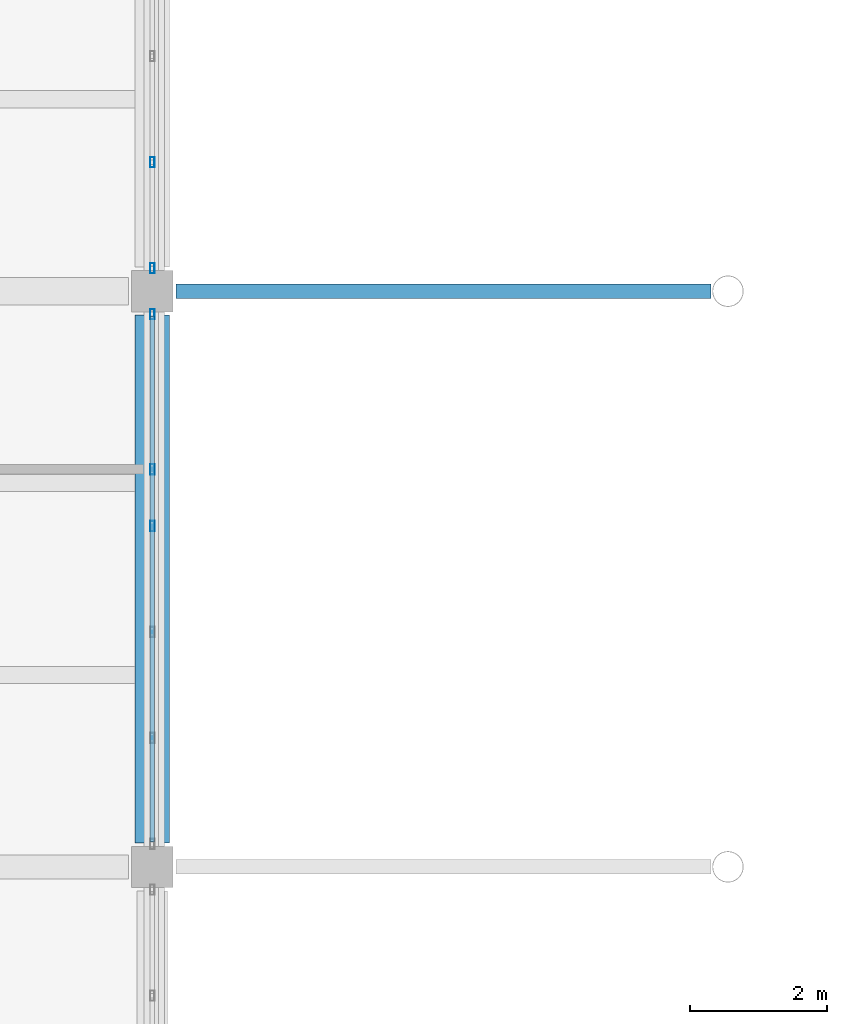
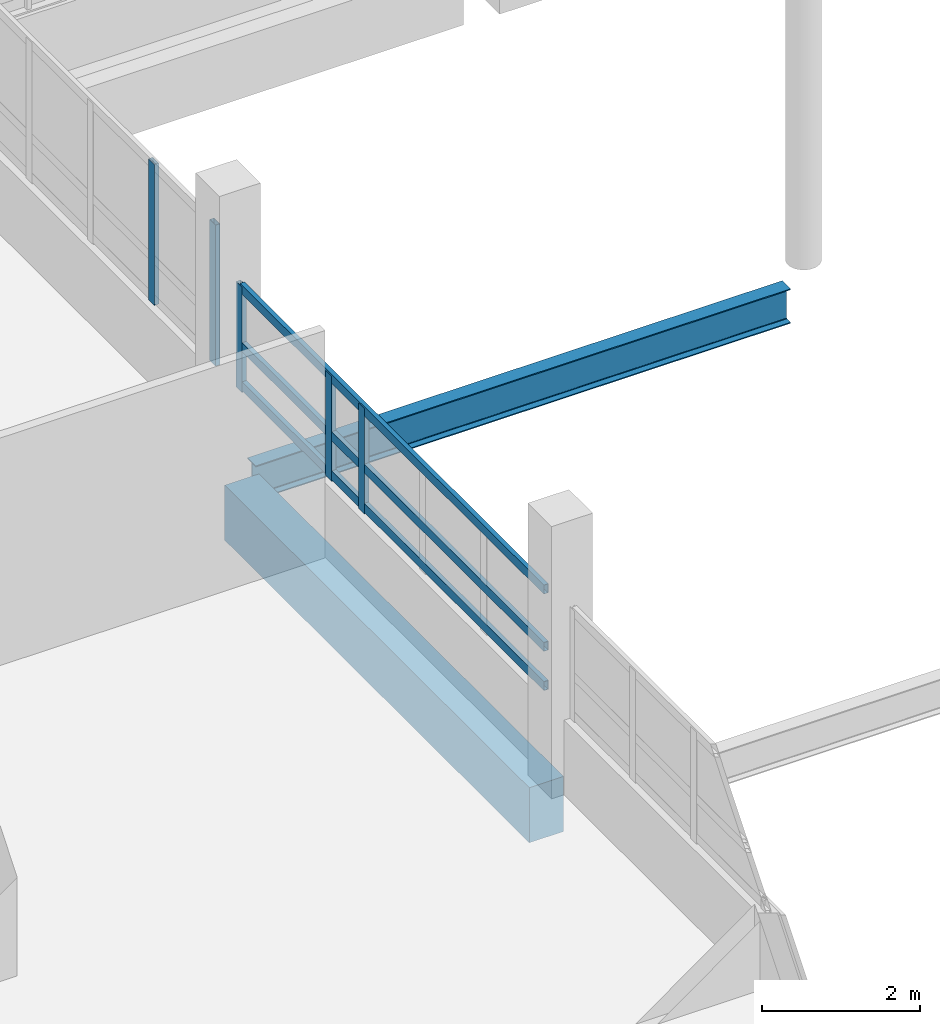
# One storey, part 46 of 101: 8 members, 2 beams, 2 elements without a shape of their own.
"""IFC4 building model written with IfcOpenShell, lengths in metres."""

from ifc_helpers import new_model, si_unit, direction, frame, origin, origin_2d, place, context, subcontext, project, spatial, rectangle, hollow_rectangle, i_section, extrude, material, layer, layer_set, material_profile, profile_set, type_object, element, aggregate, save


model = new_model("IFC4")

# Units and contexts
model_context = context("Model", 3, precision=1e-05, world=origin(), true_north=direction((0.0, 1.0)))
body_context = subcontext(model_context, "Body", "Model", "MODEL_VIEW")
ifc_project = project(units=[si_unit("LENGTHUNIT", "METRE"), si_unit("AREAUNIT", "SQUARE_METRE"), si_unit("VOLUMEUNIT", "CUBIC_METRE"), si_unit("PLANEANGLEUNIT", "RADIAN"), si_unit("MASSUNIT", "GRAM", prefix="KILO")], contexts=[model_context])

# Site, building, storey
site_placement = place(None, origin())
site = spatial("IfcSite", under=ifc_project, at=site_placement, CompositionType="ELEMENT")
building_placement = place(site_placement, origin())
building = spatial("IfcBuilding", under=site, at=building_placement, Name="Vireocrest Preparatory School", CompositionType="ELEMENT")
storey_placement = place(building_placement, frame((0.0, 0.0, 4.800048828125)))
storey = spatial("IfcBuildingStorey", under=building, at=storey_placement, Name="L01", CompositionType="ELEMENT", Elevation=4.800048828125)

# Curtain wall, members
ifc_material_1 = material(Name="Thermally broken aluminium EN AW-6063-T6", Category="aluminium")
ifc_layer = layer(ifc_material_1, 0.179931640625)
ifc_layer_set = layer_set([ifc_layer], Name="Thermally broken aluminium EN AW-6063-T6")
curtain_wall_type = type_object("IfcCurtainWallType", Name="Court Banded Curtain Wall 8400x3000", PredefinedType="USERDEFINED", material=ifc_layer_set)
curtain_wall_1_placement = place(storey_placement, origin())
curtain_wall_1 = element("IfcCurtainWall", 1, at=curtain_wall_1_placement, inside=storey, type_object=curtain_wall_type, Name="Curtain Wall CW02 CW_L01_CW02_0672_0693_060", ObjectType="CURTAIN WALL", PredefinedType="USERDEFINED")
ifc_material_profile_1 = material_profile(ifc_material_1, hollow_rectangle(XDim=0.06494140625, YDim=0.14990234375, WallThickness=0.00390625, at=origin_2d()), Name="ALU 65x150x4")
ifc_profile_set_1 = profile_set([ifc_material_profile_1], Name="Thermally broken aluminium EN AW-6063-T6")
member_type_1 = type_object("IfcMemberType", Name="CW Mullion 65x150x4", PredefinedType="MULLION", material=ifc_profile_set_1)
member_1_placement = place(storey_placement, frame((67.199951171875, 73.972900390625, 1.14990234375), z_axis=(0.0, 0.0, 1.0), x_axis=(1.0, 0.0, 0.0)))
member_1 = element("IfcMember", 2, at=member_1_placement, type_object=member_type_1, Name="CW Mullion ML1 CW_L01_CW02_0672_0693_060-4", PredefinedType="MULLION", context=body_context, shape_type="SweptSolid", body=[
    extrude(hollow_rectangle(XDim=0.06494140625, YDim=0.14990234375, WallThickness=0.00390625, at=origin_2d()), origin(), (0.0, 0.0, 1.0), 1.625),
])
member_2_placement = place(storey_placement, frame((67.199951171875, 74.800048828125, 1.14990234375), z_axis=(0.0, 0.0, 1.0), x_axis=(1.0, 0.0, 0.0)))
member_2 = element("IfcMember", 3, at=member_2_placement, type_object=member_type_1, Name="CW Mullion ML1 CW_L01_CW02_0672_0693_060-5", PredefinedType="MULLION", context=body_context, shape_type="SweptSolid", body=[
    extrude(hollow_rectangle(XDim=0.06494140625, YDim=0.14990234375, WallThickness=0.00390625, at=origin_2d()), origin(), (0.0, 0.0, 1.0), 1.625),
])
member_3_placement = place(storey_placement, frame((67.199951171875, 77.06494140625, 1.14990234375), z_axis=(0.0, 0.0, 1.0), x_axis=(1.0, 0.0, 0.0)))
member_3 = element("IfcMember", 4, at=member_3_placement, type_object=member_type_1, Name="CW Mullion ML1 CW_L01_CW02_0672_0693_060-6", PredefinedType="MULLION", context=body_context, shape_type="SweptSolid", body=[
    extrude(hollow_rectangle(XDim=0.06494140625, YDim=0.14990234375, WallThickness=0.00390625, at=origin_2d()), origin(), (0.0, 0.0, 1.0), 1.625),
])

curtain_wall_2_placement = place(storey_placement, origin())
curtain_wall_2 = element("IfcCurtainWall", 5, at=curtain_wall_2_placement, inside=storey, type_object=curtain_wall_type, Name="Curtain Wall CW02 CW_L01_CW02_0672_0777_060", ObjectType="CURTAIN WALL", PredefinedType="USERDEFINED")
member_4_placement = place(storey_placement, frame((67.199951171875, 77.735107421875, 1.14990234375), z_axis=(0.0, 0.0, 1.0), x_axis=(1.0, 0.0, 0.0)))
member_4 = element("IfcMember", 6, at=member_4_placement, type_object=member_type_1, Name="CW Mullion ML1 CW_L01_CW02_0672_0777_060-1", PredefinedType="MULLION", context=body_context, shape_type="SweptSolid", body=[
    extrude(hollow_rectangle(XDim=0.06494140625, YDim=0.14990234375, WallThickness=0.00390625, at=origin_2d()), origin(), (0.0, 0.0, 1.0), 2.175048828125),
])
member_5_placement = place(storey_placement, frame((67.199951171875, 79.281005859375, 1.14990234375), z_axis=(0.0, 0.0, 1.0), x_axis=(1.0, 0.0, 0.0)))
member_5 = element("IfcMember", 7, at=member_5_placement, type_object=member_type_1, Name="CW Mullion ML1 CW_L01_CW02_0672_0777_060-2", PredefinedType="MULLION", context=body_context, shape_type="SweptSolid", body=[
    extrude(hollow_rectangle(XDim=0.06494140625, YDim=0.14990234375, WallThickness=0.00390625, at=origin_2d()), origin(), (0.0, 0.0, 1.0), 2.175048828125),
])
aggregate(curtain_wall_2, [member_4, member_5])

# Member
ifc_material_profile_2 = material_profile(ifc_material_1, hollow_rectangle(XDim=0.06494140625, YDim=0.139892578125, WallThickness=0.00390625, at=origin_2d()), Name="ALU 65x140x4")
ifc_profile_set_2 = profile_set([ifc_material_profile_2], Name="Thermally broken aluminium EN AW-6063-T6")
member_type_2 = type_object("IfcMemberType", Name="CW Transom 65x140x4", PredefinedType="USERDEFINED", material=ifc_profile_set_2)
member_6_placement = place(storey_placement, frame((67.199951171875, 69.360107421875, 1.244873046875), z_axis=(0.0, 1.0, 0.0), x_axis=(-1.0, 0.0, 0.0)))
member_6 = element("IfcMember", 8, at=member_6_placement, type_object=member_type_2, Name="CW Transom TR1 CW_L01_CW02_0672_0693_060-1", ObjectType="TRANSOM", PredefinedType="USERDEFINED", context=body_context, shape_type="SweptSolid", body=[
    extrude(hollow_rectangle(XDim=0.06494140625, YDim=0.139892578125, WallThickness=0.00390625, at=origin_2d()), origin(), (0.0, 0.0, 1.0), 7.679931640625),
])

member_7_placement = place(storey_placement, frame((67.199951171875, 69.360107421875, 1.849853515625), z_axis=(0.0, 1.0, 0.0), x_axis=(-1.0, 0.0, 0.0)))
member_7 = element("IfcMember", 9, at=member_7_placement, type_object=member_type_2, Name="CW Transom TR1 CW_L01_CW02_0672_0693_060-2", ObjectType="TRANSOM", PredefinedType="USERDEFINED", context=body_context, shape_type="SweptSolid", body=[
    extrude(hollow_rectangle(XDim=0.06494140625, YDim=0.139892578125, WallThickness=0.00390625, at=origin_2d()), origin(), (0.0, 0.0, 1.0), 7.679931640625),
])

member_8_placement = place(storey_placement, frame((67.199951171875, 69.360107421875, 2.73486328125), z_axis=(0.0, 1.0, 0.0), x_axis=(-1.0, 0.0, 0.0)))
member_8 = element("IfcMember", 10, at=member_8_placement, type_object=member_type_2, Name="CW Transom TR1 CW_L01_CW02_0672_0693_060-3", ObjectType="TRANSOM", PredefinedType="USERDEFINED", context=body_context, shape_type="SweptSolid", body=[
    extrude(hollow_rectangle(XDim=0.06494140625, YDim=0.139892578125, WallThickness=0.00390625, at=origin_2d()), origin(), (0.0, 0.0, 1.0), 7.679931640625),
])

aggregate(curtain_wall_1, [member_1, member_2, member_3, member_6, member_7, member_8])

# Beams
ifc_material_2 = material(Name="Structural steel ASTM A992 Grade 50", Category="steel")
ifc_material_profile_3 = material_profile(ifc_material_2, i_section(OverallWidth=0.208984375, OverallDepth=0.532958984375, WebThickness=0.01025390625, FlangeThickness=0.015625, FilletRadius=0.014892578125, at=origin_2d()), Name="W21X62")
ifc_profile_set_3 = profile_set([ifc_material_profile_3], Name="Structural steel ASTM A992 Grade 50")
beam_type_1 = type_object("IfcBeamType", Name="Court Tie Girder W21X62", PredefinedType="BEAM", material=ifc_profile_set_3)
beam_1_placement = place(storey_placement, frame((67.544921875, 77.39990234375, -0.566650390625), z_axis=(1.0, 0.0, 0.0), x_axis=(0.0, 1.0, 0.0)))
element("IfcBeam", 11, at=beam_1_placement, inside=storey, type_object=beam_type_1, Name="Court Trunk Lateral Tie Girder SB5 W7 L01", PredefinedType="BEAM", context=body_context, shape_type="SweptSolid", body=[
    extrude(i_section(OverallWidth=0.208984375, OverallDepth=0.532958984375, WebThickness=0.01025390625, FlangeThickness=0.015625, FilletRadius=0.014892578125, at=origin_2d()), origin(), (0.0, 0.0, 1.0), 7.80615234375),
])
ifc_material_3 = material(Name="Concrete 40 MPa", Category="concrete")
ifc_material_profile_4 = material_profile(ifc_material_3, rectangle(XDim=0.5, YDim=0.85009765625, at=origin_2d()), Name="RC 500x850")
ifc_profile_set_4 = profile_set([ifc_material_profile_4], Name="Concrete 40 MPa")
beam_type_2 = type_object("IfcBeamType", Name="RC Podium Girder 500x850", PredefinedType="BEAM", material=ifc_profile_set_4)
beam_2_placement = place(storey_placement, frame((67.199951171875, 69.35009765625, -0.6650390625), z_axis=(0.0, 1.0, 0.0), x_axis=(-1.0, 0.0, 0.0)))
element("IfcBeam", 12, at=beam_2_placement, inside=storey, type_object=beam_type_2, Name="Primary Girder B14 L01-0421", PredefinedType="BEAM", context=body_context, shape_type="SweptSolid", body=[
    extrude(rectangle(XDim=0.5, YDim=0.85009765625, at=origin_2d()), origin(), (0.0, 0.0, 1.0), 7.699951171875),
])

save(model, "model.ifc")
